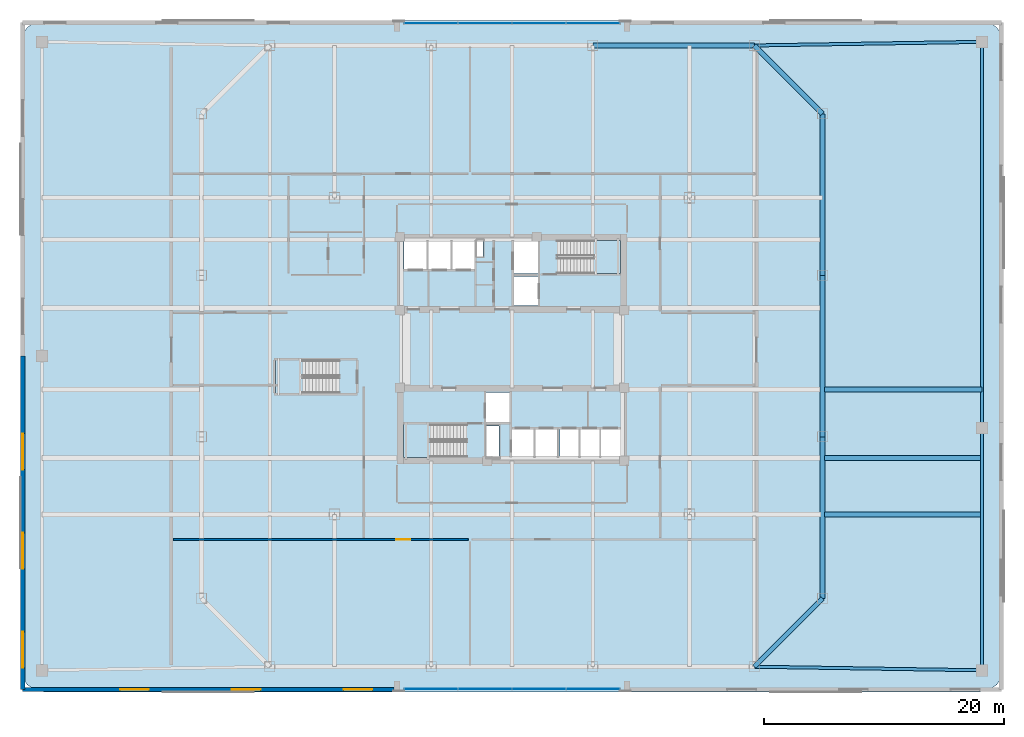
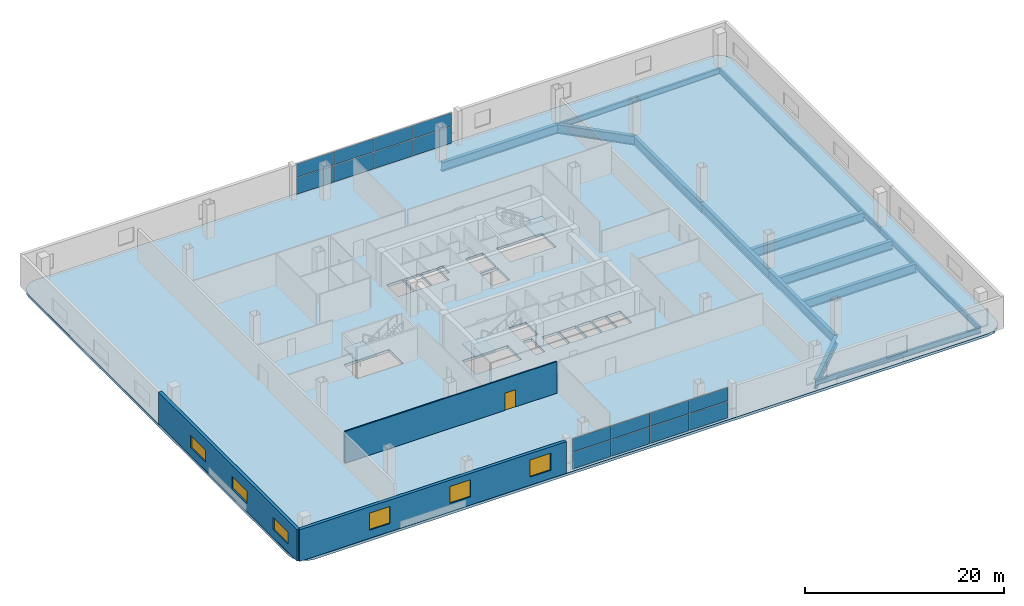
# One storey, part 11 of 21: 16 plates, 13 beams, 6 windows, 4 slabs, 3 walls, 1 door, 7 openings, 5 elements without a shape of their own.
"""IFC4 building model written with IfcOpenShell, lengths in metres."""

from ifc_helpers import new_model, si_unit, direction, frame, frame_2d, origin, origin_2d, place, context, subcontext, project, spatial, polyline, rectangle, i_section, outline, extrude, material, layer, layer_set, material_profile, profile_set, type_object, element, fill, aggregate, save


model = new_model("IFC4")

# Units and contexts
model_context = context("Model", 3, precision=1e-05, world=origin(), true_north=direction((0.0, 1.0)))
body_context = subcontext(model_context, "Body", "Model", "MODEL_VIEW")
ifc_project = project(units=[si_unit("LENGTHUNIT", "METRE"), si_unit("AREAUNIT", "SQUARE_METRE"), si_unit("VOLUMEUNIT", "CUBIC_METRE"), si_unit("PLANEANGLEUNIT", "RADIAN"), si_unit("MASSUNIT", "GRAM", prefix="KILO")], contexts=[model_context])

# Site, building, storey
site_placement = place(None, origin())
site = spatial("IfcSite", under=ifc_project, at=site_placement, CompositionType="ELEMENT")
building_placement = place(site_placement, origin())
building = spatial("IfcBuilding", under=site, at=building_placement, Name="Qhalaya Broadcast Tower", CompositionType="ELEMENT")
storey_placement = place(building_placement, frame((0.0, 0.0, 5.10009765625)))
storey = spatial("IfcBuildingStorey", under=building, at=storey_placement, Name="L01", CompositionType="ELEMENT", Elevation=5.10009765625)

# Beams
ifc_material_1 = material(Name="Structural Steel ASTM A992 Grade 50", Category="steel")
ifc_material_profile_1 = material_profile(ifc_material_1, i_section(OverallWidth=0.25390625, OverallDepth=0.68310546875, WebThickness=0.012451171875, FlangeThickness=0.01904296875, at=origin_2d()), Name="W27X94")
ifc_profile_set_1 = profile_set([ifc_material_profile_1], Name="Structural Steel ASTM A992 Grade 50")
beam_type_1 = type_object("IfcBeamType", Name="Perimeter Ring Spandrel Beam SP1", PredefinedType="SPANDREL", material=ifc_profile_set_1)
for number, where, z_axis, x_axis, name in (
    (1, (20.199951171875, -25.89990234375, -0.66162109375), (0.999875328998, -0.015790074776, 0.0), (0.015790074776, 0.999875328998, 0.0), "L01 SP1 L01-SP-S2"),
    (2, (20.199951171875, 25.89990234375, -0.66162109375), (0.999875328998, 0.015790074776, 0.0), (-0.015790074776, 0.999875328998, 0.0), "L01 SP1 L01-SP-N2"),
):
    element("IfcBeam", number, at=place(storey_placement, frame(where, z_axis=z_axis, x_axis=x_axis)), inside=storey, type_object=beam_type_1, Name=name, PredefinedType="SPANDREL", context=body_context, shape_type="SweptSolid", body=[
        extrude(i_section(OverallWidth=0.25390625, OverallDepth=0.68310546875, WebThickness=0.012451171875, FlangeThickness=0.01904296875, at=origin_2d()), origin(), (0.0, 0.0, 1.0), 19.00244140625),
    ])
beam_1_placement = place(storey_placement, frame((39.199951171875, -26.199951171875, -0.66162109375), z_axis=(0.0, 1.0, 0.0), x_axis=(-1.0, 0.0, 0.0)))
element("IfcBeam", 3, at=beam_1_placement, inside=storey, type_object=beam_type_1, Name="L01 SP1 L01-SP-E1", PredefinedType="SPANDREL", context=body_context, shape_type="SweptSolid", body=[
    extrude(i_section(OverallWidth=0.25390625, OverallDepth=0.68310546875, WebThickness=0.012451171875, FlangeThickness=0.01904296875, at=origin_2d()), origin(), (0.0, 0.0, 1.0), 20.199951171875),
])
beam_2_placement = place(storey_placement, frame((39.199951171875, -6.0, -0.66162109375), z_axis=(0.0, 1.0, 0.0), x_axis=(-1.0, 0.0, 0.0)))
element("IfcBeam", 4, at=beam_2_placement, inside=storey, type_object=beam_type_1, Name="L01 SP1 L01-SP-E2", PredefinedType="SPANDREL", context=body_context, shape_type="SweptSolid", body=[
    extrude(i_section(OverallWidth=0.25390625, OverallDepth=0.68310546875, WebThickness=0.012451171875, FlangeThickness=0.01904296875, at=origin_2d()), origin(), (0.0, 0.0, 1.0), 32.199951171875),
])
ifc_material_profile_2 = material_profile(ifc_material_1, i_section(OverallWidth=0.404052734375, OverallDepth=1.117919921875, WebThickness=0.026123046875, FlangeThickness=0.044921875, at=origin_2d()), Name="W44X335")
ifc_profile_set_2 = profile_set([ifc_material_profile_2], Name="Structural Steel ASTM A992 Grade 50")
beam_type_2 = type_object("IfcBeamType", Name="Podium Long-Span Primary Girder PG1", PredefinedType="USERDEFINED", material=ifc_profile_set_2)
beam_3_placement = place(storey_placement, frame((20.199951171875, -25.89990234375, -0.879150390625), z_axis=(0.707106781187, 0.707106781187, 0.0), x_axis=(-0.707106781187, 0.707106781187, 0.0)))
element("IfcBeam", 5, at=beam_3_placement, inside=storey, type_object=beam_type_2, Name="L01 PG1 L01-PG-R04", ObjectType="GIRDER", PredefinedType="USERDEFINED", context=body_context, shape_type="SweptSolid", body=[
    extrude(i_section(OverallWidth=0.404052734375, OverallDepth=1.117919921875, WebThickness=0.026123046875, FlangeThickness=0.044921875, at=origin_2d()), origin(), (0.0, 0.0, 1.0), 8.06103515625),
])
beam_4_placement = place(storey_placement, frame((25.89990234375, -20.199951171875, -0.879150390625), z_axis=(0.0, 1.0, 0.0), x_axis=(-1.0, 0.0, 0.0)))
element("IfcBeam", 6, at=beam_4_placement, inside=storey, type_object=beam_type_2, Name="L01 PG1 L01-PG-R05", ObjectType="GIRDER", PredefinedType="USERDEFINED", context=body_context, shape_type="SweptSolid", body=[
    extrude(i_section(OverallWidth=0.404052734375, OverallDepth=1.117919921875, WebThickness=0.026123046875, FlangeThickness=0.044921875, at=origin_2d()), origin(), (0.0, 0.0, 1.0), 13.466552734375),
])
beam_5_placement = place(storey_placement, frame((25.89990234375, -6.7333984375, -0.879150390625), z_axis=(0.0, 1.0, 0.0), x_axis=(-1.0, 0.0, 0.0)))
element("IfcBeam", 7, at=beam_5_placement, inside=storey, type_object=beam_type_2, Name="L01 PG1 L01-PG-R06", ObjectType="GIRDER", PredefinedType="USERDEFINED", context=body_context, shape_type="SweptSolid", body=[
    extrude(i_section(OverallWidth=0.404052734375, OverallDepth=1.117919921875, WebThickness=0.026123046875, FlangeThickness=0.044921875, at=origin_2d()), origin(), (0.0, 0.0, 1.0), 13.466796875),
])
beam_6_placement = place(storey_placement, frame((25.89990234375, 6.7333984375, -0.879150390625), z_axis=(0.0, 1.0, 0.0), x_axis=(-1.0, 0.0, 0.0)))
element("IfcBeam", 8, at=beam_6_placement, inside=storey, type_object=beam_type_2, Name="L01 PG1 L01-PG-R07", ObjectType="GIRDER", PredefinedType="USERDEFINED", context=body_context, shape_type="SweptSolid", body=[
    extrude(i_section(OverallWidth=0.404052734375, OverallDepth=1.117919921875, WebThickness=0.026123046875, FlangeThickness=0.044921875, at=origin_2d()), origin(), (0.0, 0.0, 1.0), 13.466552734375),
])
beam_7_placement = place(storey_placement, frame((25.89990234375, 20.199951171875, -0.879150390625), z_axis=(-0.707106781187, 0.707106781187, 0.0), x_axis=(-0.707106781187, -0.707106781187, 0.0)))
element("IfcBeam", 9, at=beam_7_placement, inside=storey, type_object=beam_type_2, Name="L01 PG1 L01-PG-R08", ObjectType="GIRDER", PredefinedType="USERDEFINED", context=body_context, shape_type="SweptSolid", body=[
    extrude(i_section(OverallWidth=0.404052734375, OverallDepth=1.117919921875, WebThickness=0.026123046875, FlangeThickness=0.044921875, at=origin_2d()), origin(), (0.0, 0.0, 1.0), 8.06103515625),
])
beam_8_placement = place(storey_placement, frame((20.199951171875, 25.89990234375, -0.879150390625), z_axis=(-1.0, 0.0, 0.0), x_axis=(0.0, -1.0, 0.0)))
element("IfcBeam", 10, at=beam_8_placement, inside=storey, type_object=beam_type_2, Name="L01 PG1 L01-PG-R09", ObjectType="GIRDER", PredefinedType="USERDEFINED", context=body_context, shape_type="SweptSolid", body=[
    extrude(i_section(OverallWidth=0.404052734375, OverallDepth=1.117919921875, WebThickness=0.026123046875, FlangeThickness=0.044921875, at=origin_2d()), origin(), (0.0, 0.0, 1.0), 13.466552734375),
])
for number, where, z_axis, x_axis, name in (
    (11, (26.0400390625, -13.199951171875, -0.879150390625), (1.0, 0.0, 0.0), (0.0, 1.0, 0.0), "L01 PG1 L01-PG-GS5"),
    (12, (26.0400390625, -8.5, -0.879150390625), (1.0, 0.0, 0.0), (0.0, 1.0, 0.0), "L01 PG1 L01-PG-E1B"),
    (13, (26.0400390625, -2.800048828125, -0.879150390625), (1.0, 0.0, 0.0), (0.0, 1.0, 0.0), "L01 PG1 L01-PG-E2B"),
):
    element("IfcBeam", number, at=place(storey_placement, frame(where, z_axis=z_axis, x_axis=x_axis)), inside=storey, type_object=beam_type_2, Name=name, ObjectType="GIRDER", PredefinedType="USERDEFINED", context=body_context, shape_type="SweptSolid", body=[
        extrude(i_section(OverallWidth=0.404052734375, OverallDepth=1.117919921875, WebThickness=0.026123046875, FlangeThickness=0.044921875, at=origin_2d()), origin(), (0.0, 0.0, 1.0), 13.159912109375),
    ])

# Slab
ifc_material_2 = material(Name="Concrete C40/50", Category="concrete")
ifc_layer_1 = layer(ifc_material_2, 0.320068359375, Name="Concrete C40/50")
ifc_layer_set_1 = layer_set([ifc_layer_1], Name="Concrete C40/50")
slab_type_1 = type_object("IfcSlabType", Name="Podium Soundstage Box-in-Box Floor Slab 320", PredefinedType="FLOOR", material=ifc_layer_set_1)
slab_1_placement = place(storey_placement, frame((0.0, 0.0, -0.320068359375)))
element("IfcSlab", 14, at=slab_1_placement, inside=storey, type_object=slab_type_1, Name="L01 Main Structural Floor Slab", PredefinedType="FLOOR", context=body_context, shape_type="SweptSolid", body=[
    extrude(outline(polyline([(39.0, -28.0), (39.765380859375, -27.847900390625), (40.414306640625, -27.414306640625), (40.847900390625, -26.765380859375), (41.0, -26.0), (41.0, 26.0), (40.847900390625, 26.765380859375), (40.414306640625, 27.414306640625), (39.765380859375, 27.847900390625), (39.0, 28.0), (-39.0, 28.0), (-39.765380859375, 27.847900390625), (-40.414306640625, 27.414306640625), (-40.847900390625, 26.765380859375), (-41.0, 26.0), (-41.0, -26.0), (-40.847900390625, -26.765380859375), (-40.414306640625, -27.414306640625), (-39.765380859375, -27.847900390625), (-39.0, -28.0), (39.0, -28.0)]), holes=[polyline([(3.784912109375, 9.639892578125), (9.050048828125, 9.639892578125), (9.050048828125, 6.8798828125), (3.784912109375, 6.8798828125), (3.784912109375, 9.639892578125)]), polyline([(-3.784912109375, -8.43994140625), (-9.050048828125, -8.43994140625), (-9.050048828125, -5.679931640625), (-3.784912109375, -5.679931640625), (-3.784912109375, -8.43994140625)]), polyline([(-14.43505859375, -3.10009765625), (-19.699951171875, -3.10009765625), (-19.699951171875, -0.340087890625), (-14.43505859375, -0.340087890625), (-14.43505859375, -3.10009765625)]), polyline([(0.14990234375, 6.64990234375), (2.14990234375, 6.64990234375), (2.14990234375, 4.199951171875), (0.14990234375, 4.199951171875), (0.14990234375, 6.64990234375)]), polyline([(0.14990234375, 9.60009765625), (2.14990234375, 9.60009765625), (2.14990234375, 6.89990234375), (0.14990234375, 6.89990234375), (0.14990234375, 9.60009765625)]), polyline([(-2.14990234375, -3.050048828125), (-0.14990234375, -3.050048828125), (-0.14990234375, -5.5), (-2.14990234375, -5.5), (-2.14990234375, -3.050048828125)]), polyline([(-9.0, 9.60009765625), (-7.1201171875, 9.60009765625), (-7.1201171875, 7.25), (-9.0, 7.25), (-9.0, 9.60009765625)]), polyline([(-7.0, 9.60009765625), (-5.1201171875, 9.60009765625), (-5.1201171875, 7.25), (-7.0, 7.25), (-7.0, 9.60009765625)]), polyline([(-5.0, 9.60009765625), (-3.1201171875, 9.60009765625), (-3.1201171875, 7.25), (-5.0, 7.25), (-5.0, 9.60009765625)]), polyline([(-0.050048828125, -6.10009765625), (1.830078125, -6.10009765625), (1.830078125, -8.39990234375), (-0.050048828125, -8.39990234375), (-0.050048828125, -6.10009765625)]), polyline([(1.949951171875, -6.10009765625), (3.830078125, -6.10009765625), (3.830078125, -8.39990234375), (1.949951171875, -8.39990234375), (1.949951171875, -6.10009765625)]), polyline([(4.0, -6.10009765625), (5.60009765625, -6.10009765625), (5.60009765625, -8.39990234375), (4.0, -8.39990234375), (4.0, -6.10009765625)]), polyline([(5.719970703125, -6.10009765625), (7.320068359375, -6.10009765625), (7.320068359375, -8.39990234375), (5.719970703125, -8.39990234375), (5.719970703125, -6.10009765625)]), polyline([(7.43994140625, -6.10009765625), (9.0400390625, -6.10009765625), (9.0400390625, -8.39990234375), (7.43994140625, -8.39990234375), (7.43994140625, -6.10009765625)]), polyline([(-2.919921875, 9.659912109375), (-2.419921875, 9.659912109375), (-2.419921875, 8.320068359375), (-2.919921875, 8.320068359375), (-2.919921875, 9.659912109375)]), polyline([(-2.1201171875, -5.820068359375), (-1.080078125, -5.820068359375), (-1.080078125, -8.4599609375), (-2.1201171875, -8.4599609375), (-2.1201171875, -5.820068359375)])]), origin(), (0.0, 0.0, 1.0), 0.320068359375),
])

# Curtain wall, plates
ifc_material_3 = material(Name="Solar-Control Low-E Triple Glazing", Category="glass")
ifc_layer_2 = layer(ifc_material_3, 0.219970703125, Name="Solar-Control Low-E Triple Glazing")
ifc_layer_set_2 = layer_set([ifc_layer_2], Name="Solar-Control Low-E Triple Glazing")
curtain_wall_type = type_object("IfcCurtainWallType", Name="Podium Concourse Triple-Height Glazed Portal CW-01", PredefinedType="NOTDEFINED", material=ifc_layer_set_2)
curtain_wall_1_placement = place(storey_placement, origin())
curtain_wall_1 = element("IfcCurtainWall", 15, at=curtain_wall_1_placement, inside=storey, type_object=curtain_wall_type, Name="L01 Unitised Curtain Wall L01-CW01-S", PredefinedType="NOTDEFINED")
ifc_layer_3 = layer(ifc_material_3, 0.0380859375, Name="Solar-Control Low-E Triple Glazing")
ifc_layer_set_3 = layer_set([ifc_layer_3], Name="Solar-Control Low-E Triple Glazing")
plate_type = type_object("IfcPlateType", Name="Solar-Control Curtain Glazing Panel GLP-01", PredefinedType="CURTAIN_PANEL", material=ifc_layer_set_3)
plate_1_placement = place(storey_placement, frame((-6.768798828125, -27.75, 0.074951171875), z_axis=(0.0, 0.0, 1.0), x_axis=(1.0, 0.0, 0.0)))
plate_1 = element("IfcPlate", 16, at=plate_1_placement, type_object=plate_type, Name="CW-01 panel 1.1", PredefinedType="CURTAIN_PANEL", context=body_context, shape_type="SweptSolid", body=[
    extrude(rectangle(XDim=4.41259765625, YDim=0.0380859375, at=origin_2d()), origin(), (0.0, 0.0, 1.0), 2.021484375),
])
plate_2_placement = place(storey_placement, frame((-6.768798828125, -27.75, 2.17138671875), z_axis=(0.0, 0.0, 1.0), x_axis=(1.0, 0.0, 0.0)))
plate_2 = element("IfcPlate", 17, at=plate_2_placement, type_object=plate_type, Name="CW-01 panel 1.2", PredefinedType="CURTAIN_PANEL", context=body_context, shape_type="SweptSolid", body=[
    extrude(rectangle(XDim=4.41259765625, YDim=0.0380859375, at=origin_2d()), origin(), (0.0, 0.0, 1.0), 1.633544921875),
])
plate_3_placement = place(storey_placement, frame((-2.262451171875, -27.75, 0.074951171875), z_axis=(0.0, 0.0, 1.0), x_axis=(1.0, 0.0, 0.0)))
plate_3 = element("IfcPlate", 18, at=plate_3_placement, type_object=plate_type, Name="CW-01 panel 2.1", PredefinedType="CURTAIN_PANEL", context=body_context, shape_type="SweptSolid", body=[
    extrude(rectangle(XDim=4.449951171875, YDim=0.0380859375, at=origin_2d()), origin(), (0.0, 0.0, 1.0), 2.021484375),
])
plate_4_placement = place(storey_placement, frame((-2.262451171875, -27.75, 2.17138671875), z_axis=(0.0, 0.0, 1.0), x_axis=(1.0, 0.0, 0.0)))
plate_4 = element("IfcPlate", 19, at=plate_4_placement, type_object=plate_type, Name="CW-01 panel 2.2", PredefinedType="CURTAIN_PANEL", context=body_context, shape_type="SweptSolid", body=[
    extrude(rectangle(XDim=4.449951171875, YDim=0.0380859375, at=origin_2d()), origin(), (0.0, 0.0, 1.0), 1.633544921875),
])
plate_5_placement = place(storey_placement, frame((2.262451171875, -27.75, 0.074951171875), z_axis=(0.0, 0.0, 1.0), x_axis=(1.0, 0.0, 0.0)))
plate_5 = element("IfcPlate", 20, at=plate_5_placement, type_object=plate_type, Name="CW-01 panel 3.1", PredefinedType="CURTAIN_PANEL", context=body_context, shape_type="SweptSolid", body=[
    extrude(rectangle(XDim=4.449951171875, YDim=0.0380859375, at=origin_2d()), origin(), (0.0, 0.0, 1.0), 2.021484375),
])
plate_6_placement = place(storey_placement, frame((2.262451171875, -27.75, 2.17138671875), z_axis=(0.0, 0.0, 1.0), x_axis=(1.0, 0.0, 0.0)))
plate_6 = element("IfcPlate", 21, at=plate_6_placement, type_object=plate_type, Name="CW-01 panel 3.2", PredefinedType="CURTAIN_PANEL", context=body_context, shape_type="SweptSolid", body=[
    extrude(rectangle(XDim=4.449951171875, YDim=0.0380859375, at=origin_2d()), origin(), (0.0, 0.0, 1.0), 1.633544921875),
])
plate_7_placement = place(storey_placement, frame((6.768798828125, -27.75, 0.074951171875), z_axis=(0.0, 0.0, 1.0), x_axis=(1.0, 0.0, 0.0)))
plate_7 = element("IfcPlate", 22, at=plate_7_placement, type_object=plate_type, Name="CW-01 panel 4.1", PredefinedType="CURTAIN_PANEL", context=body_context, shape_type="SweptSolid", body=[
    extrude(rectangle(XDim=4.41259765625, YDim=0.0380859375, at=origin_2d()), origin(), (0.0, 0.0, 1.0), 2.021484375),
])
plate_8_placement = place(storey_placement, frame((6.768798828125, -27.75, 2.17138671875), z_axis=(0.0, 0.0, 1.0), x_axis=(1.0, 0.0, 0.0)))
plate_8 = element("IfcPlate", 23, at=plate_8_placement, type_object=plate_type, Name="CW-01 panel 4.2", PredefinedType="CURTAIN_PANEL", context=body_context, shape_type="SweptSolid", body=[
    extrude(rectangle(XDim=4.41259765625, YDim=0.0380859375, at=origin_2d()), origin(), (0.0, 0.0, 1.0), 1.633544921875),
])
aggregate(curtain_wall_1, [plate_1, plate_2, plate_3, plate_4, plate_5, plate_6, plate_7, plate_8])

curtain_wall_2_placement = place(storey_placement, origin())
curtain_wall_2 = element("IfcCurtainWall", 24, at=curtain_wall_2_placement, inside=storey, type_object=curtain_wall_type, Name="L01 Unitised Curtain Wall L01-CW01-N", PredefinedType="NOTDEFINED")
plate_9_placement = place(storey_placement, frame((6.768798828125, 27.75, 0.074951171875), z_axis=(0.0, 0.0, 1.0), x_axis=(-1.0, 0.0, 0.0)))
plate_9 = element("IfcPlate", 25, at=plate_9_placement, type_object=plate_type, Name="CW-01 panel 1.1", PredefinedType="CURTAIN_PANEL", context=body_context, shape_type="SweptSolid", body=[
    extrude(rectangle(XDim=4.41259765625, YDim=0.0380859375, at=origin_2d()), origin(), (0.0, 0.0, 1.0), 2.021484375),
])
plate_10_placement = place(storey_placement, frame((6.768798828125, 27.75, 2.17138671875), z_axis=(0.0, 0.0, 1.0), x_axis=(-1.0, 0.0, 0.0)))
plate_10 = element("IfcPlate", 26, at=plate_10_placement, type_object=plate_type, Name="CW-01 panel 1.2", PredefinedType="CURTAIN_PANEL", context=body_context, shape_type="SweptSolid", body=[
    extrude(rectangle(XDim=4.41259765625, YDim=0.0380859375, at=origin_2d()), origin(), (0.0, 0.0, 1.0), 1.633544921875),
])
plate_11_placement = place(storey_placement, frame((2.262451171875, 27.75, 0.074951171875), z_axis=(0.0, 0.0, 1.0), x_axis=(-1.0, 0.0, 0.0)))
plate_11 = element("IfcPlate", 27, at=plate_11_placement, type_object=plate_type, Name="CW-01 panel 2.1", PredefinedType="CURTAIN_PANEL", context=body_context, shape_type="SweptSolid", body=[
    extrude(rectangle(XDim=4.449951171875, YDim=0.0380859375, at=origin_2d()), origin(), (0.0, 0.0, 1.0), 2.021484375),
])
plate_12_placement = place(storey_placement, frame((2.262451171875, 27.75, 2.17138671875), z_axis=(0.0, 0.0, 1.0), x_axis=(-1.0, 0.0, 0.0)))
plate_12 = element("IfcPlate", 28, at=plate_12_placement, type_object=plate_type, Name="CW-01 panel 2.2", PredefinedType="CURTAIN_PANEL", context=body_context, shape_type="SweptSolid", body=[
    extrude(rectangle(XDim=4.449951171875, YDim=0.0380859375, at=origin_2d()), origin(), (0.0, 0.0, 1.0), 1.633544921875),
])
plate_13_placement = place(storey_placement, frame((-2.262451171875, 27.75, 0.074951171875), z_axis=(0.0, 0.0, 1.0), x_axis=(-1.0, 0.0, 0.0)))
plate_13 = element("IfcPlate", 29, at=plate_13_placement, type_object=plate_type, Name="CW-01 panel 3.1", PredefinedType="CURTAIN_PANEL", context=body_context, shape_type="SweptSolid", body=[
    extrude(rectangle(XDim=4.449951171875, YDim=0.0380859375, at=origin_2d()), origin(), (0.0, 0.0, 1.0), 2.021484375),
])
plate_14_placement = place(storey_placement, frame((-2.262451171875, 27.75, 2.17138671875), z_axis=(0.0, 0.0, 1.0), x_axis=(-1.0, 0.0, 0.0)))
plate_14 = element("IfcPlate", 30, at=plate_14_placement, type_object=plate_type, Name="CW-01 panel 3.2", PredefinedType="CURTAIN_PANEL", context=body_context, shape_type="SweptSolid", body=[
    extrude(rectangle(XDim=4.449951171875, YDim=0.0380859375, at=origin_2d()), origin(), (0.0, 0.0, 1.0), 1.633544921875),
])
plate_15_placement = place(storey_placement, frame((-6.768798828125, 27.75, 0.074951171875), z_axis=(0.0, 0.0, 1.0), x_axis=(-1.0, 0.0, 0.0)))
plate_15 = element("IfcPlate", 31, at=plate_15_placement, type_object=plate_type, Name="CW-01 panel 4.1", PredefinedType="CURTAIN_PANEL", context=body_context, shape_type="SweptSolid", body=[
    extrude(rectangle(XDim=4.41259765625, YDim=0.0380859375, at=origin_2d()), origin(), (0.0, 0.0, 1.0), 2.021484375),
])
plate_16_placement = place(storey_placement, frame((-6.768798828125, 27.75, 2.17138671875), z_axis=(0.0, 0.0, 1.0), x_axis=(-1.0, 0.0, 0.0)))
plate_16 = element("IfcPlate", 32, at=plate_16_placement, type_object=plate_type, Name="CW-01 panel 4.2", PredefinedType="CURTAIN_PANEL", context=body_context, shape_type="SweptSolid", body=[
    extrude(rectangle(XDim=4.41259765625, YDim=0.0380859375, at=origin_2d()), origin(), (0.0, 0.0, 1.0), 1.633544921875),
])
aggregate(curtain_wall_2, [plate_9, plate_10, plate_11, plate_12, plate_13, plate_14, plate_15, plate_16])

# Stair, slab
stair_type = type_object("IfcStairType", Name="Protected Dogleg Core Stair 4200", PredefinedType="TWO_STRAIGHT_RUN_STAIR", material=ifc_material_2)
stair_1_placement = place(storey_placement, origin())
stair_1 = element("IfcStair", 33, at=stair_1_placement, inside=storey, type_object=stair_type, Name="L01 North Core Exit Stair ST-1", PredefinedType="TWO_STRAIGHT_RUN_STAIR")
ifc_layer_4 = layer(ifc_material_2, 0.199951171875, Name="Concrete C40/50")
ifc_layer_set_4 = layer_set([ifc_layer_4], Name="Concrete C40/50")
slab_type_2 = type_object("IfcSlabType", Name="Stair & Ramp Half-Landing Slab 200", PredefinedType="LANDING", material=ifc_layer_set_4)
slab_2_placement = place(storey_placement, frame((0.0, 0.0, 1.89990234375)))
slab_2 = element("IfcSlab", 34, at=slab_2_placement, type_object=slab_type_2, Name="ST-1 landing 1", PredefinedType="LANDING", context=body_context, shape_type="SweptSolid", body=[
    extrude(outline(polyline([(6.794921875, 6.8798828125), (9.050048828125, 6.8798828125), (9.050048828125, 9.639892578125), (6.794921875, 9.639892578125), (6.794921875, 6.8798828125)])), origin(), (0.0, 0.0, 1.0), 0.199951171875),
])
aggregate(stair_1, [slab_2])

stair_2_placement = place(storey_placement, origin())
stair_2 = element("IfcStair", 35, at=stair_2_placement, inside=storey, type_object=stair_type, Name="L01 South Core Exit Stair ST-2", PredefinedType="TWO_STRAIGHT_RUN_STAIR")
slab_3_placement = place(storey_placement, frame((0.0, 0.0, 1.89990234375)))
slab_3 = element("IfcSlab", 36, at=slab_3_placement, type_object=slab_type_2, Name="ST-2 landing 1", PredefinedType="LANDING", context=body_context, shape_type="SweptSolid", body=[
    extrude(outline(polyline([(-6.794921875, -5.679931640625), (-9.050048828125, -5.679931640625), (-9.050048828125, -8.43994140625), (-6.794921875, -8.43994140625), (-6.794921875, -5.679931640625)])), origin(), (0.0, 0.0, 1.0), 0.199951171875),
])
aggregate(stair_2, [slab_3])

stair_3_placement = place(storey_placement, origin())
stair_3 = element("IfcStair", 37, at=stair_3_placement, inside=storey, type_object=stair_type, Name="L01 Podium West Escape Stair ST-P1", PredefinedType="TWO_STRAIGHT_RUN_STAIR")
slab_4_placement = place(storey_placement, frame((0.0, 0.0, 1.89990234375)))
slab_4 = element("IfcSlab", 38, at=slab_4_placement, type_object=slab_type_2, Name="ST-P1 landing 1", PredefinedType="LANDING", context=body_context, shape_type="SweptSolid", body=[
    extrude(outline(polyline([(-17.445068359375, -0.340087890625), (-19.699951171875, -0.340087890625), (-19.699951171875, -3.10009765625), (-17.445068359375, -3.10009765625), (-17.445068359375, -0.340087890625)])), origin(), (0.0, 0.0, 1.0), 0.199951171875),
])
aggregate(stair_3, [slab_4])

# Wall, opening, door
ifc_material_4 = material(Name="Gypsum Acoustic Partition")
ifc_layer_5 = layer(ifc_material_4, 0.14990234375, Name="Gypsum Acoustic Partition")
ifc_layer_set_5 = layer_set([ifc_layer_5], Name="Gypsum Acoustic Partition")
wall_type_1 = type_object("IfcWallType", Name="Corridor & Tenancy Acoustic Partition 150", PredefinedType="PARTITIONING", material=ifc_layer_set_5)
wall_1_placement = place(storey_placement, frame((-28.239990234375, -15.300048828125, 0.0), z_axis=(0.0, 0.0, 1.0), x_axis=(1.0, 0.0, 0.0)))
wall_1 = element("IfcWall", 39, at=wall_1_placement, inside=storey, type_object=wall_type_1, Name="L01 Partition Wall W-STS1L", PredefinedType="PARTITIONING", context=body_context, shape_type="SweptSolid", body=[
    extrude(rectangle(XDim=24.580078125, YDim=0.14990234375, at=frame_2d((12.2900390625, 0.0))), origin(), (0.0, 0.0, 1.0), 3.8798828125),
])
opening_1_placement = place(wall_1_placement, frame((18.572021484375, 0.0, 0.0)))
opening_1 = element("IfcOpeningElement", 40, at=opening_1_placement, cuts=wall_1, Name="Opening D11", PredefinedType="OPENING", context=body_context, shape_type="SweptSolid", body=[
    extrude(rectangle(XDim=1.199951171875, YDim=2.10009765625, at=frame_2d((0.60009765625, 1.050048828125))), frame((0.0, 0.0869140625, 0.0), z_axis=(0.0, -1.0, 0.0), x_axis=(1.0, 0.0, 0.0)), (0.0, 0.0, 1.0), 0.173828125),
])
ifc_material_5 = material(Name="Anodised Aluminium Glazed Door", Category="aluminium")
door_type = type_object("IfcDoorType", Name="Conference, Boardroom & Studio Control Door D11", OperationType="NOTDEFINED", PredefinedType="DOOR", material=ifc_material_5)
door_placement = place(opening_1_placement, origin())
door = element("IfcDoor", 41, at=door_placement, inside=storey, type_object=door_type, Name="L01 Door D-STS1", OperationType="SINGLE_SWING_RIGHT", OverallHeight=2.10009765625, OverallWidth=1.199951171875, PredefinedType="DOOR", context=body_context, shape_type="SweptSolid", body=[
    extrude(rectangle(XDim=1.199951171875, YDim=2.10009765625, at=frame_2d((0.60009765625, 1.050048828125))), frame((0.0, 0.02490234375, 0.0), z_axis=(0.0, -1.0, 0.0), x_axis=(1.0, 0.0, 0.0)), (0.0, 0.0, 1.0), 0.050048828125),
])
fill(opening_1, door)

# Wall, openings, windows
ifc_material_6 = material(Name="Precast Concrete C40/50", Category="concrete")
ifc_layer_6 = layer(ifc_material_6, 0.360107421875, Name="Precast Concrete C40/50")
ifc_layer_set_6 = layer_set([ifc_layer_6], Name="Precast Concrete C40/50")
wall_type_2 = type_object("IfcWallType", Name="Insulated Precast Terracotta Exterior Wall 360", PredefinedType="SOLIDWALL", material=ifc_layer_set_6)
wall_2_placement = place(storey_placement, frame((-9.840087890625, -27.800048828125, 0.0), z_axis=(0.0, 0.0, 1.0), x_axis=(-1.0, 0.0, 0.0)))
wall_2 = element("IfcWall", 42, at=wall_2_placement, inside=storey, type_object=wall_type_2, Name="L01 Podium Exterior Terracotta Wall EW-SW", PredefinedType="SOLIDWALL", context=body_context, shape_type="SweptSolid", body=[
    extrude(rectangle(XDim=30.9599609375, YDim=0.360107421875, at=frame_2d((15.47998046875, 0.0))), origin(), (0.0, 0.0, 1.0), 3.8798828125),
])
opening_2_placement = place(wall_2_placement, frame((1.800048828125, 0.0, 1.0)))
opening_2 = element("IfcOpeningElement", 43, at=opening_2_placement, cuts=wall_2, Name="Opening W01", PredefinedType="OPENING", context=body_context, shape_type="SweptSolid", body=[
    extrude(rectangle(XDim=2.39990234375, YDim=2.10009765625, at=frame_2d((1.199951171875, 1.050048828125))), frame((0.0, 0.192138671875, 0.0), z_axis=(0.0, -1.0, 0.0), x_axis=(1.0, 0.0, 0.0)), (0.0, 0.0, 1.0), 0.384033203125),
])
opening_3_placement = place(wall_2_placement, frame((11.1201171875, 0.0, 1.0)))
opening_3 = element("IfcOpeningElement", 44, at=opening_3_placement, cuts=wall_2, Name="Opening W01", PredefinedType="OPENING", context=body_context, shape_type="SweptSolid", body=[
    extrude(rectangle(XDim=2.39990234375, YDim=2.10009765625, at=frame_2d((1.199951171875, 1.050048828125))), frame((0.0, 0.192138671875, 0.0), z_axis=(0.0, -1.0, 0.0), x_axis=(1.0, 0.0, 0.0)), (0.0, 0.0, 1.0), 0.384033203125),
])
opening_4_placement = place(wall_2_placement, frame((20.43994140625, 0.0, 1.0)))
opening_4 = element("IfcOpeningElement", 45, at=opening_4_placement, cuts=wall_2, Name="Opening W01", PredefinedType="OPENING", context=body_context, shape_type="SweptSolid", body=[
    extrude(rectangle(XDim=2.39990234375, YDim=2.10009765625, at=frame_2d((1.199951171875, 1.050048828125))), frame((0.0, 0.192138671875, 0.0), z_axis=(0.0, -1.0, 0.0), x_axis=(1.0, 0.0, 0.0)), (0.0, 0.0, 1.0), 0.384033203125),
])
window_type_1 = type_object("IfcWindowType", Name="Podium Broadcast Studio Acoustic Window W01", PartitioningType="SINGLE_PANEL", PredefinedType="WINDOW", material=ifc_material_3)
window_1_placement = place(opening_2_placement, origin())
window_1 = element("IfcWindow", 46, at=window_1_placement, inside=storey, type_object=window_type_1, Name="L01 Facade Window W01-1", OverallHeight=2.10009765625, OverallWidth=2.39990234375, PartitioningType="SINGLE_PANEL", PredefinedType="WINDOW", context=body_context, shape_type="SweptSolid", body=[
    extrude(rectangle(XDim=2.39990234375, YDim=2.10009765625, at=frame_2d((1.199951171875, 1.050048828125))), frame((0.0, 0.030029296875, 0.0), z_axis=(0.0, -1.0, 0.0), x_axis=(1.0, 0.0, 0.0)), (0.0, 0.0, 1.0), 0.06005859375),
])
fill(opening_2, window_1)
window_2_placement = place(opening_3_placement, origin())
window_2 = element("IfcWindow", 47, at=window_2_placement, inside=storey, type_object=window_type_1, Name="L01 Facade Window W01-2", OverallHeight=2.10009765625, OverallWidth=2.39990234375, PartitioningType="SINGLE_PANEL", PredefinedType="WINDOW", context=body_context, shape_type="SweptSolid", body=[
    extrude(rectangle(XDim=2.39990234375, YDim=2.10009765625, at=frame_2d((1.199951171875, 1.050048828125))), frame((0.0, 0.030029296875, 0.0), z_axis=(0.0, -1.0, 0.0), x_axis=(1.0, 0.0, 0.0)), (0.0, 0.0, 1.0), 0.06005859375),
])
fill(opening_3, window_2)
window_3_placement = place(opening_4_placement, origin())
window_3 = element("IfcWindow", 48, at=window_3_placement, inside=storey, type_object=window_type_1, Name="L01 Facade Window W01-3", OverallHeight=2.10009765625, OverallWidth=2.39990234375, PartitioningType="SINGLE_PANEL", PredefinedType="WINDOW", context=body_context, shape_type="SweptSolid", body=[
    extrude(rectangle(XDim=2.39990234375, YDim=2.10009765625, at=frame_2d((1.199951171875, 1.050048828125))), frame((0.0, 0.030029296875, 0.0), z_axis=(0.0, -1.0, 0.0), x_axis=(1.0, 0.0, 0.0)), (0.0, 0.0, 1.0), 0.06005859375),
])
fill(opening_4, window_3)

wall_3_placement = place(storey_placement, frame((-40.800048828125, -27.800048828125, 0.0), z_axis=(0.0, 0.0, 1.0), x_axis=(0.0, 1.0, 0.0)))
wall_3 = element("IfcWall", 49, at=wall_3_placement, inside=storey, type_object=wall_type_2, Name="L01 Podium Exterior Terracotta Wall EW-WS", PredefinedType="SOLIDWALL", context=body_context, shape_type="SweptSolid", body=[
    extrude(rectangle(XDim=27.800048828125, YDim=0.360107421875, at=frame_2d((13.89990234375, 0.0))), origin(), (0.0, 0.0, 1.0), 3.8798828125),
])
opening_5_placement = place(wall_3_placement, frame((1.800048828125, 0.0, 1.0)))
opening_5 = element("IfcOpeningElement", 50, at=opening_5_placement, cuts=wall_3, Name="Opening W03", PredefinedType="OPENING", context=body_context, shape_type="SweptSolid", body=[
    extrude(rectangle(XDim=3.0, YDim=1.5, at=frame_2d((1.5, 0.75))), frame((0.0, 0.192138671875, 0.0), z_axis=(0.0, -1.0, 0.0), x_axis=(1.0, 0.0, 0.0)), (0.0, 0.0, 1.0), 0.384033203125),
])
opening_6_placement = place(wall_3_placement, frame((10.06689453125, 0.0, 1.0)))
opening_6 = element("IfcOpeningElement", 51, at=opening_6_placement, cuts=wall_3, Name="Opening W03", PredefinedType="OPENING", context=body_context, shape_type="SweptSolid", body=[
    extrude(rectangle(XDim=3.0, YDim=1.5, at=frame_2d((1.5, 0.75))), frame((0.0, 0.192138671875, 0.0), z_axis=(0.0, -1.0, 0.0), x_axis=(1.0, 0.0, 0.0)), (0.0, 0.0, 1.0), 0.384033203125),
])
opening_7_placement = place(wall_3_placement, frame((18.3330078125, 0.0, 1.0)))
opening_7 = element("IfcOpeningElement", 52, at=opening_7_placement, cuts=wall_3, Name="Opening W03", PredefinedType="OPENING", context=body_context, shape_type="SweptSolid", body=[
    extrude(rectangle(XDim=3.0, YDim=1.5, at=frame_2d((1.5, 0.75))), frame((0.0, 0.192138671875, 0.0), z_axis=(0.0, -1.0, 0.0), x_axis=(1.0, 0.0, 0.0)), (0.0, 0.0, 1.0), 0.384033203125),
])
window_type_2 = type_object("IfcWindowType", Name="Podium Concourse Clerestory Window W03", PartitioningType="SINGLE_PANEL", PredefinedType="WINDOW", material=ifc_material_3)
window_4_placement = place(opening_5_placement, origin())
window_4 = element("IfcWindow", 53, at=window_4_placement, inside=storey, type_object=window_type_2, Name="L01 Facade Window W03-1", OverallHeight=1.5, OverallWidth=3.0, PartitioningType="SINGLE_PANEL", PredefinedType="WINDOW", context=body_context, shape_type="SweptSolid", body=[
    extrude(rectangle(XDim=3.0, YDim=1.5, at=frame_2d((1.5, 0.75))), frame((0.0, 0.030029296875, 0.0), z_axis=(0.0, -1.0, 0.0), x_axis=(1.0, 0.0, 0.0)), (0.0, 0.0, 1.0), 0.06005859375),
])
fill(opening_5, window_4)
window_5_placement = place(opening_6_placement, origin())
window_5 = element("IfcWindow", 54, at=window_5_placement, inside=storey, type_object=window_type_2, Name="L01 Facade Window W03-2", OverallHeight=1.5, OverallWidth=3.0, PartitioningType="SINGLE_PANEL", PredefinedType="WINDOW", context=body_context, shape_type="SweptSolid", body=[
    extrude(rectangle(XDim=3.0, YDim=1.5, at=frame_2d((1.5, 0.75))), frame((0.0, 0.030029296875, 0.0), z_axis=(0.0, -1.0, 0.0), x_axis=(1.0, 0.0, 0.0)), (0.0, 0.0, 1.0), 0.06005859375),
])
fill(opening_6, window_5)
window_6_placement = place(opening_7_placement, origin())
window_6 = element("IfcWindow", 55, at=window_6_placement, inside=storey, type_object=window_type_2, Name="L01 Facade Window W03-3", OverallHeight=1.5, OverallWidth=3.0, PartitioningType="SINGLE_PANEL", PredefinedType="WINDOW", context=body_context, shape_type="SweptSolid", body=[
    extrude(rectangle(XDim=3.0, YDim=1.5, at=frame_2d((1.5, 0.75))), frame((0.0, 0.030029296875, 0.0), z_axis=(0.0, -1.0, 0.0), x_axis=(1.0, 0.0, 0.0)), (0.0, 0.0, 1.0), 0.06005859375),
])
fill(opening_7, window_6)

save(model, "model.ifc")
